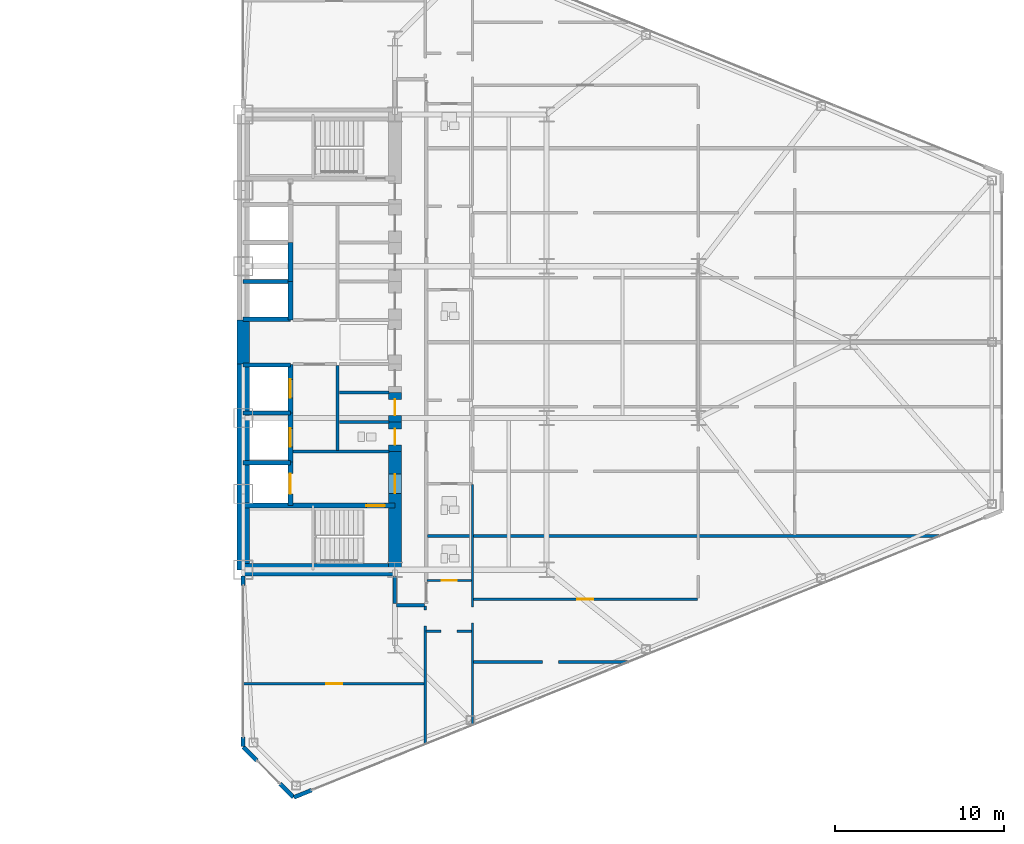
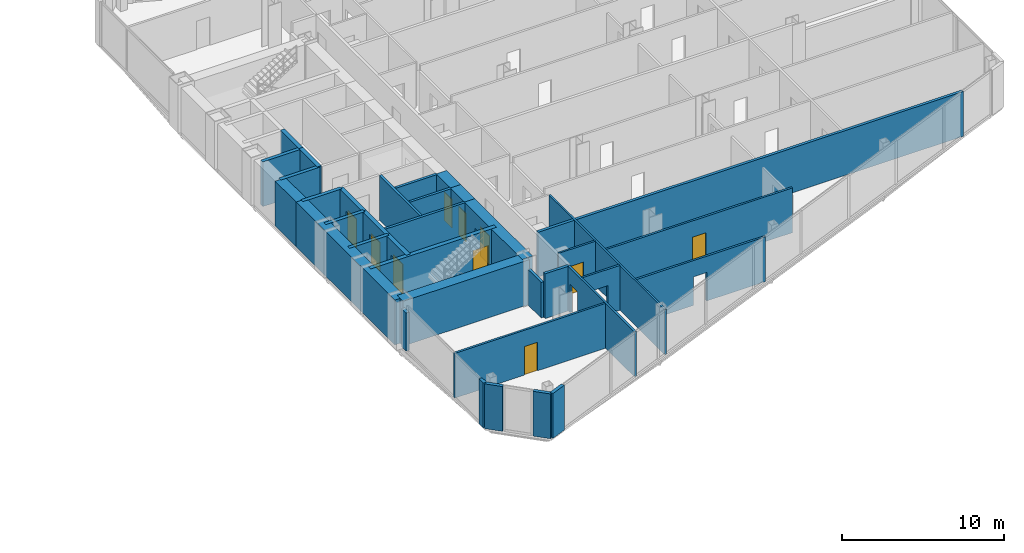
# One storey, part 20 of 25: 36 walls, 10 doors, 14 openings.
"""IFC4 building model written with IfcOpenShell, lengths in metres."""

from ifc_helpers import new_model, si_unit, direction, frame, frame_2d, origin, place, context, subcontext, project, spatial, rectangle, extrude, source, transform, mapped, material, layer, layer_set, type_object, type_shapes, element, fill, save


model = new_model("IFC4")

# Units and contexts
model_context = context("Model", 3, precision=1e-05, world=origin(), true_north=direction((0.0, 1.0)))
body_context = subcontext(model_context, "Body", "Model", "MODEL_VIEW")
ifc_project = project(units=[si_unit("LENGTHUNIT", "METRE"), si_unit("AREAUNIT", "SQUARE_METRE"), si_unit("VOLUMEUNIT", "CUBIC_METRE"), si_unit("PLANEANGLEUNIT", "RADIAN"), si_unit("MASSUNIT", "GRAM", prefix="KILO")], contexts=[model_context])

# Site, building, storey
site_placement = place(None, origin())
site = spatial("IfcSite", under=ifc_project, at=site_placement, CompositionType="ELEMENT")
building_placement = place(site_placement, origin())
building = spatial("IfcBuilding", under=site, at=building_placement, Name="Seokmaru Belvedere", CompositionType="ELEMENT")
storey_placement = place(building_placement, frame((0.0, 0.0, 36.89990234375)))
storey = spatial("IfcBuildingStorey", under=building, at=storey_placement, Name="L09", CompositionType="ELEMENT", Elevation=36.89990234375)

# Wall, opening, door
ifc_material_1 = material(Name="Fire-Rated Gypsum Shaftwall")
ifc_layer_1 = layer(ifc_material_1, 0.14990234375)
ifc_layer_set_1 = layer_set([ifc_layer_1], Name="Fire-Rated Gypsum Shaftwall")
wall_type_1 = type_object("IfcWallType", Name="Apartment Fire-Acoustic Room Partition 150", PredefinedType="PARTITIONING", material=ifc_layer_set_1)
wall_1_placement = place(storey_placement, frame((27.465087890625, -20.25, 0.0), z_axis=(0.0, 0.0, 1.0), x_axis=(1.0, 0.0, 0.0)))
wall_1 = element("IfcWall", 1, at=wall_1_placement, inside=storey, type_object=wall_type_1, Name="L09 Interior Partition 002", PredefinedType="PARTITIONING", context=body_context, shape_type="SweptSolid", body=[
    extrude(rectangle(XDim=10.784912109375, YDim=0.14990234375, at=frame_2d((5.392578125, 0.0))), origin(), (0.0, 0.0, 1.0), 3.380126953125),
])
opening_1_placement = place(wall_1_placement, frame((4.9599609375, 0.0, 0.0)))
opening_1 = element("IfcOpeningElement", 2, at=opening_1_placement, cuts=wall_1, Name="Opening D05", PredefinedType="OPENING", context=body_context, shape_type="SweptSolid", body=[
    extrude(rectangle(XDim=0.949951171875, YDim=2.14990234375, at=frame_2d((0.47509765625, 1.074951171875))), frame((0.0, 0.0849609375, 0.0), z_axis=(0.0, -1.0, 0.0), x_axis=(1.0, 0.0, 0.0)), (0.0, 0.0, 1.0), 0.169921875),
])
ifc_material_2 = material(Name="Engineered White Oak Timber", Category="wood")
door_type_1 = type_object("IfcDoorType", Name="Apartment Interior Fire-Rated Oak Door 950x2150", OperationType="NOTDEFINED", PredefinedType="DOOR", material=ifc_material_2)
shared_shape_1 = source(origin(), body_context, "Body", "SweptSolid", [
    extrude(rectangle(XDim=0.949951171875, YDim=2.14990234375, at=frame_2d((0.47509765625, 1.074951171875))), frame((0.0, 0.02490234375, 0.0), z_axis=(0.0, -1.0, 0.0), x_axis=(1.0, 0.0, 0.0)), (0.0, 0.0, 1.0), 0.050048828125),
])
type_shapes(door_type_1, [shared_shape_1])
door_1_placement = place(opening_1_placement, origin())
door_1 = element("IfcDoor", 3, at=door_1_placement, inside=storey, type_object=door_type_1, Name="L09 Interior Door 047", OperationType="SINGLE_SWING_LEFT", OverallHeight=2.14990234375, OverallWidth=0.949951171875, PredefinedType="DOOR", context=body_context, shape_type="MappedRepresentation", body=[
    mapped(shared_shape_1, transform((0.0, 0.0, 0.0), scale=1.0)),
])
fill(opening_1, door_1)

# Wall, opening
wall_2_placement = place(storey_placement, frame((41.14990234375, -18.969970703125, 0.0), z_axis=(0.0, 0.0, 1.0), x_axis=(1.0, 0.0, 0.0)))
wall_2 = element("IfcWall", 4, at=wall_2_placement, inside=storey, type_object=wall_type_1, Name="L09 Interior Partition 003", PredefinedType="PARTITIONING", context=body_context, shape_type="SweptSolid", body=[
    extrude(rectangle(XDim=9.216064453125, YDim=0.14990234375, at=frame_2d((4.60791015625, 0.0))), origin(), (0.0, 0.0, 1.0), 3.380126953125),
])
opening_2_placement = place(wall_2_placement, frame((4.0908203125, 0.0, 0.0)))
element("IfcOpeningElement", 5, at=opening_2_placement, cuts=wall_2, Name="L09 Cased Opening 045", PredefinedType="OPENING", context=body_context, shape_type="SweptSolid", body=[
    extrude(rectangle(XDim=0.949951171875, YDim=2.14990234375, at=frame_2d((0.47509765625, 1.074951171875))), frame((0.0, 0.0849609375, 0.0), z_axis=(0.0, -1.0, 0.0), x_axis=(1.0, 0.0, 0.0)), (0.0, 0.0, 1.0), 0.169921875),
])

wall_3_placement = place(storey_placement, frame((38.35009765625, -17.139892578125, 0.0), z_axis=(0.0, 0.0, 1.0), x_axis=(1.0, 0.0, 0.0)))
wall_3 = element("IfcWall", 6, at=wall_3_placement, inside=storey, type_object=wall_type_1, Name="L09 Interior Partition 005", PredefinedType="PARTITIONING", context=body_context, shape_type="SweptSolid", body=[
    extrude(rectangle(XDim=2.699951171875, YDim=0.14990234375, at=frame_2d((1.35009765625, 0.0))), origin(), (0.0, 0.0, 1.0), 3.380126953125),
])
opening_3_placement = place(wall_3_placement, frame((0.875, 0.0, 0.0)))
element("IfcOpeningElement", 7, at=opening_3_placement, cuts=wall_3, Name="L09 Cased Opening 042", PredefinedType="OPENING", context=body_context, shape_type="SweptSolid", body=[
    extrude(rectangle(XDim=0.949951171875, YDim=2.14990234375, at=frame_2d((0.47509765625, 1.074951171875))), frame((0.0, 0.0849609375, 0.0), z_axis=(0.0, -1.0, 0.0), x_axis=(1.0, 0.0, 0.0)), (0.0, 0.0, 1.0), 0.169921875),
])

# Wall, opening, door
wall_4_placement = place(storey_placement, frame((41.14990234375, -15.239990234375, 0.0), z_axis=(0.0, 0.0, 1.0), x_axis=(1.0, 0.0, 0.0)))
wall_4 = element("IfcWall", 8, at=wall_4_placement, inside=storey, type_object=wall_type_1, Name="L09 Interior Partition 009", PredefinedType="PARTITIONING", context=body_context, shape_type="SweptSolid", body=[
    extrude(rectangle(XDim=13.300048828125, YDim=0.14990234375, at=frame_2d((6.64990234375, 0.0))), origin(), (0.0, 0.0, 1.0), 3.380126953125),
])
opening_4_placement = place(wall_4_placement, frame((6.175048828125, 0.0, 0.0)))
opening_4 = element("IfcOpeningElement", 9, at=opening_4_placement, cuts=wall_4, Name="Opening D05", PredefinedType="OPENING", context=body_context, shape_type="SweptSolid", body=[
    extrude(rectangle(XDim=0.949951171875, YDim=2.14990234375, at=frame_2d((0.47509765625, 1.074951171875))), frame((0.0, 0.0849609375, 0.0), z_axis=(0.0, -1.0, 0.0), x_axis=(1.0, 0.0, 0.0)), (0.0, 0.0, 1.0), 0.169921875),
])
door_2_placement = place(opening_4_placement, origin())
door_2 = element("IfcDoor", 10, at=door_2_placement, inside=storey, type_object=door_type_1, Name="L09 Interior Door 046", OperationType="SINGLE_SWING_LEFT", OverallHeight=2.14990234375, OverallWidth=0.949951171875, PredefinedType="DOOR", context=body_context, shape_type="MappedRepresentation", body=[
    mapped(shared_shape_1, transform((0.0, 0.0, 0.0), scale=1.0)),
])
fill(opening_4, door_2)

# Wall, opening
wall_5_placement = place(storey_placement, frame((38.300048828125, -23.8779296875, 0.0), z_axis=(0.0, 0.0, 1.0), x_axis=(0.0, 1.0, 0.0)))
wall_5 = element("IfcWall", 11, at=wall_5_placement, inside=storey, type_object=wall_type_1, Name="L09 Interior Partition 059", PredefinedType="PARTITIONING", context=body_context, shape_type="SweptSolid", body=[
    extrude(rectangle(XDim=8.22802734375, YDim=0.14990234375, at=frame_2d((4.114013671875, 0.0))), origin(), (0.0, 0.0, 1.0), 3.380126953125),
])
opening_5_placement = place(wall_5_placement, frame((7.030517578125, 0.0, 0.0)))
element("IfcOpeningElement", 12, at=opening_5_placement, cuts=wall_5, Name="L09 Cased Opening 044", PredefinedType="OPENING", context=body_context, shape_type="SweptSolid", body=[
    extrude(rectangle(XDim=0.949951171875, YDim=2.14990234375, at=frame_2d((0.47509765625, 1.074951171875))), frame((0.0, 0.0849609375, 0.0), z_axis=(0.0, -1.0, 0.0), x_axis=(1.0, 0.0, 0.0)), (0.0, 0.0, 1.0), 0.169921875),
])

# Walls
ifc_layer_2 = layer(ifc_material_1, 0.179931640625)
ifc_layer_set_2 = layer_set([ifc_layer_2], Name="Fire-Rated Gypsum Shaftwall")
wall_type_2 = type_object("IfcWallType", Name="Core Service Fire Partition 180", PredefinedType="PARTITIONING", material=ifc_layer_set_2)
wall_6_placement = place(storey_placement, frame((30.449951171875, -6.5, 0.0), z_axis=(0.0, 0.0, 1.0), x_axis=(1.0, 0.0, 0.0)))
element("IfcWall", 13, at=wall_6_placement, inside=storey, type_object=wall_type_2, Name="L09 East Firefighting Lobby Partition", PredefinedType="PARTITIONING", context=body_context, shape_type="SweptSolid", body=[
    extrude(rectangle(XDim=5.699951171875, YDim=0.179931640625, at=frame_2d((2.85009765625, 0.0))), origin(), (0.0, 0.0, 1.0), 3.380126953125),
])
wall_7_placement = place(storey_placement, frame((33.10009765625, -6.419921875, 0.0), z_axis=(0.0, 0.0, 1.0), x_axis=(0.0, 1.0, 0.0)))
element("IfcWall", 14, at=wall_7_placement, inside=storey, type_object=wall_type_2, Name="L09 East South Core Service Back Wall", PredefinedType="PARTITIONING", context=body_context, shape_type="SweptSolid", body=[
    extrude(rectangle(XDim=5.0400390625, YDim=0.179931640625, at=frame_2d((2.52001953125, 0.0))), origin(), (0.0, 0.0, 1.0), 3.380126953125),
])
for number, where, z_axis, x_axis, name in (
    (15, (33.199951171875, -4.75, 0.0), (0.0, 0.0, 1.0), (1.0, 0.0, 0.0), "L09 East Core Service Partition 1"),
    (16, (33.199951171875, -3.0, 0.0), (0.0, 0.0, 1.0), (1.0, 0.0, 0.0), "L09 East Core Service Partition 2"),
):
    element("IfcWall", number, at=place(storey_placement, frame(where, z_axis=z_axis, x_axis=x_axis)), inside=storey, type_object=wall_type_2, Name=name, PredefinedType="PARTITIONING", context=body_context, shape_type="SweptSolid", body=[
        extrude(rectangle(XDim=2.949951171875, YDim=0.179931640625, at=frame_2d((1.47509765625, 0.0))), origin(), (0.0, 0.0, 1.0), 3.380126953125),
    ])
ifc_material_3 = material(Name="Concrete C50 (50 MPa)", Category="concrete")
ifc_layer_3 = layer(ifc_material_3, 0.25)
ifc_layer_set_3 = layer_set([ifc_layer_3], Name="Concrete C50 (50 MPa)")
wall_type_3 = type_object("IfcWallType", Name="Hoistway Transverse Concrete Divider Wall 250", PredefinedType="SHEAR", material=ifc_layer_set_3)
for number, where, z_axis, x_axis, name in (
    (17, (27.5, -7.14990234375, 0.0), (0.0, 0.0, 1.0), (1.0, 0.0, 0.0), "L09 East Hoistway Divider Core Wall 1"),
    (18, (27.5, -4.199951171875, 0.0), (0.0, 0.0, 1.0), (1.0, 0.0, 0.0), "L09 East Hoistway Divider Core Wall 2"),
    (19, (27.5, -1.35009765625, 0.0), (0.0, 0.0, 1.0), (1.0, 0.0, 0.0), "L09 East Hoistway Divider Core Wall 3"),
    (20, (27.5, 1.35009765625, 0.0), (0.0, 0.0, 1.0), (1.0, 0.0, 0.0), "L09 East Hoistway Divider Core Wall 4"),
    (21, (27.5, 3.60009765625, 0.0), (0.0, 0.0, 1.0), (1.0, 0.0, 0.0), "L09 East Hoistway Divider Core Wall 5"),
):
    element("IfcWall", number, at=place(storey_placement, frame(where, z_axis=z_axis, x_axis=x_axis)), inside=storey, type_object=wall_type_3, Name=name, PredefinedType="SHEAR", context=body_context, shape_type="SweptSolid", body=[
        extrude(rectangle(XDim=2.800048828125, YDim=0.25, at=frame_2d((1.39990234375, 0.0))), origin(), (0.0, 0.0, 1.0), 3.380126953125),
    ])
ifc_layer_4 = layer(ifc_material_1, 0.199951171875)
ifc_layer_set_4 = layer_set([ifc_layer_4], Name="Fire-Rated Gypsum Shaftwall")
wall_type_4 = type_object("IfcWallType", Name="Inter-Tenancy Fire Compartment Partition 200", PredefinedType="PARTITIONING", material=ifc_layer_set_4)
wall_8_placement = place(storey_placement, frame((36.5849609375, -15.60009765625, 0.0), z_axis=(0.0, 0.0, 1.0), x_axis=(1.0, 0.0, 0.0)))
element("IfcWall", 22, at=wall_8_placement, inside=storey, type_object=wall_type_4, Name="L09 Interior Partition 008", PredefinedType="PARTITIONING", context=body_context, shape_type="SweptSolid", body=[
    extrude(rectangle(XDim=1.679931640625, YDim=0.199951171875, at=frame_2d((0.83984375, 0.0))), origin(), (0.0, 0.0, 1.0), 3.380126953125),
])
wall_9_placement = place(storey_placement, frame((38.429931640625, -11.5, 0.0), z_axis=(0.0, 0.0, 1.0), x_axis=(1.0, 0.0, 0.0)))
element("IfcWall", 23, at=wall_9_placement, inside=storey, type_object=wall_type_4, Name="L09 Interior Partition 013", PredefinedType="PARTITIONING", context=body_context, shape_type="SweptSolid", body=[
    extrude(rectangle(XDim=30.376953125, YDim=0.199951171875, at=frame_2d((15.1884765625, 0.0))), origin(), (0.0, 0.0, 1.0), 3.380126953125),
])
wall_10_placement = place(storey_placement, frame((36.5, -15.514892578125, 0.0), z_axis=(0.0, 0.0, 1.0), x_axis=(0.0, 1.0, 0.0)))
element("IfcWall", 24, at=wall_10_placement, inside=storey, type_object=wall_type_4, Name="L09 Interior Partition 057", PredefinedType="PARTITIONING", context=body_context, shape_type="SweptSolid", body=[
    extrude(rectangle(XDim=1.635009765625, YDim=0.199951171875, at=frame_2d((0.8173828125, 0.0))), origin(), (0.0, 0.0, 1.0), 2.68017578125),
])

# Wall, opening, door
ifc_layer_5 = layer(ifc_material_3, 0.300048828125)
ifc_layer_set_5 = layer_set([ifc_layer_5], Name="Concrete C50 (50 MPa)")
wall_type_5 = type_object("IfcWallType", Name="Internal Core Stair and Hoistway Wall 300", PredefinedType="SHEAR", material=ifc_layer_set_5)
wall_11_placement = place(storey_placement, frame((27.5, -9.699951171875, 0.0), z_axis=(0.0, 0.0, 1.0), x_axis=(1.0, 0.0, 0.0)))
wall_11 = element("IfcWall", 25, at=wall_11_placement, inside=storey, type_object=wall_type_5, Name="L09 East Stair ST-1 Enclosure Wall", PredefinedType="SHEAR", context=body_context, shape_type="SweptSolid", body=[
    extrude(rectangle(XDim=9.0, YDim=0.300048828125, at=frame_2d((4.5, 0.0))), origin(), (0.0, 0.0, 1.0), 3.380126953125),
])
opening_6_placement = place(wall_11_placement, frame((7.300048828125, 0.0, 0.0)))
opening_6 = element("IfcOpeningElement", 26, at=opening_6_placement, cuts=wall_11, Name="Opening D01", PredefinedType="OPENING", context=body_context, shape_type="SweptSolid", body=[
    extrude(rectangle(XDim=1.10009765625, YDim=2.199951171875, at=frame_2d((0.550048828125, 1.10009765625))), frame((0.0, 0.16015625, 0.0), z_axis=(0.0, -1.0, 0.0), x_axis=(1.0, 0.0, 0.0)), (0.0, 0.0, 1.0), 0.320068359375),
])
ifc_material_4 = material(Name="Fire-Rated Steel Leaf", Category="steel")
door_type_2 = type_object("IfcDoorType", Name="Special Escape Stair Smokeproof Fire Door 1100x2200", OperationType="NOTDEFINED", PredefinedType="DOOR", material=ifc_material_4)
shared_shape_2 = source(origin(), body_context, "Body", "SweptSolid", [
    extrude(rectangle(XDim=1.10009765625, YDim=2.199951171875, at=frame_2d((0.550048828125, 1.10009765625))), frame((0.0, 0.02490234375, 0.0), z_axis=(0.0, -1.0, 0.0), x_axis=(1.0, 0.0, 0.0)), (0.0, 0.0, 1.0), 0.050048828125),
])
type_shapes(door_type_2, [shared_shape_2])
door_3_placement = place(opening_6_placement, frame((1.10009765625, 0.0, 0.0), z_axis=(0.0, 0.0, 1.0), x_axis=(-1.0, 0.0, 0.0)))
door_3 = element("IfcDoor", 27, at=door_3_placement, inside=storey, type_object=door_type_2, Name="L09 East Special Escape Stair ST-1 Door", OperationType="SINGLE_SWING_RIGHT", OverallHeight=2.199951171875, OverallWidth=1.10009765625, PredefinedType="DOOR", context=body_context, shape_type="MappedRepresentation", body=[
    mapped(shared_shape_2, transform((0.0, 0.0, 0.0), scale=1.0)),
])
fill(opening_6, door_3)

wall_12_placement = place(storey_placement, frame((30.300048828125, -9.679931640625, 0.0), z_axis=(0.0, 0.0, 1.0), x_axis=(0.0, 1.0, 0.0)))
wall_12 = element("IfcWall", 28, at=wall_12_placement, inside=storey, type_object=wall_type_5, Name="L09 East Firefighting Lift Shaft Front Wall", PredefinedType="SHEAR", context=body_context, shape_type="SweptSolid", body=[
    extrude(rectangle(XDim=2.559814453125, YDim=0.300048828125, at=frame_2d((1.27978515625, 0.0))), origin(), (0.0, 0.0, 1.0), 3.380126953125),
])
opening_7_placement = place(wall_12_placement, frame((0.679931640625, 0.0, 0.0)))
opening_7 = element("IfcOpeningElement", 29, at=opening_7_placement, cuts=wall_12, Name="Opening LD2", PredefinedType="OPENING", context=body_context, shape_type="SweptSolid", body=[
    extrude(rectangle(XDim=1.199951171875, YDim=2.25, at=frame_2d((0.60009765625, 1.125))), frame((0.0, 0.16015625, 0.0), z_axis=(0.0, -1.0, 0.0), x_axis=(1.0, 0.0, 0.0)), (0.0, 0.0, 1.0), 0.320068359375),
])
ifc_material_5 = material(Name="Stainless Steel 316", Category="steel")
door_type_3 = type_object("IfcDoorType", Name="Firefighting Lift Sliding Landing Door 1200x2250", OperationType="DOUBLE_DOOR_SLIDING", PredefinedType="DOOR", material=ifc_material_5)
shared_shape_3 = source(origin(), body_context, "Body", "SweptSolid", [
    extrude(rectangle(XDim=1.199951171875, YDim=2.25, at=frame_2d((0.60009765625, 1.125))), frame((0.0, 0.02490234375, 0.0), z_axis=(0.0, -1.0, 0.0), x_axis=(1.0, 0.0, 0.0)), (0.0, 0.0, 1.0), 0.050048828125),
])
type_shapes(door_type_3, [shared_shape_3])
door_4_placement = place(opening_7_placement, origin())
door_4 = element("IfcDoor", 30, at=door_4_placement, inside=storey, type_object=door_type_3, Name="L09 East Firefighting Lift Landing Door", OperationType="DOUBLE_DOOR_SLIDING", OverallHeight=2.25, OverallWidth=1.199951171875, PredefinedType="DOOR", context=body_context, shape_type="MappedRepresentation", body=[
    mapped(shared_shape_3, transform((0.0, 0.0, 0.0), scale=1.0)),
])
fill(opening_7, door_4)

wall_13_placement = place(storey_placement, frame((30.300048828125, -7.1201171875, 0.0), z_axis=(0.0, 0.0, 1.0), x_axis=(0.0, 1.0, 0.0)))
wall_13 = element("IfcWall", 31, at=wall_13_placement, inside=storey, type_object=wall_type_5, Name="L09 East Low-Rise Lift PL-1 Front Wall", PredefinedType="SHEAR", context=body_context, shape_type="SweptSolid", body=[
    extrude(rectangle(XDim=2.920166015625, YDim=0.300048828125, at=frame_2d((1.4599609375, 0.0))), origin(), (0.0, 0.0, 1.0), 3.380126953125),
])
opening_8_placement = place(wall_13_placement, frame((0.909912109375, 0.0, 0.0)))
opening_8 = element("IfcOpeningElement", 32, at=opening_8_placement, cuts=wall_13, Name="Opening LD1", PredefinedType="OPENING", context=body_context, shape_type="SweptSolid", body=[
    extrude(rectangle(XDim=1.10009765625, YDim=2.199951171875, at=frame_2d((0.550048828125, 1.10009765625))), frame((0.0, 0.16015625, 0.0), z_axis=(0.0, -1.0, 0.0), x_axis=(1.0, 0.0, 0.0)), (0.0, 0.0, 1.0), 0.320068359375),
])
door_type_4 = type_object("IfcDoorType", Name="Passenger Lift Sliding Landing Door 1100x2200", OperationType="DOUBLE_DOOR_SLIDING", PredefinedType="DOOR", material=ifc_material_5)
shared_shape_4 = source(origin(), body_context, "Body", "SweptSolid", [
    extrude(rectangle(XDim=1.10009765625, YDim=2.199951171875, at=frame_2d((0.550048828125, 1.10009765625))), frame((0.0, 0.02490234375, 0.0), z_axis=(0.0, -1.0, 0.0), x_axis=(1.0, 0.0, 0.0)), (0.0, 0.0, 1.0), 0.050048828125),
])
type_shapes(door_type_4, [shared_shape_4])
door_5_placement = place(opening_8_placement, origin())
door_5 = element("IfcDoor", 33, at=door_5_placement, inside=storey, type_object=door_type_4, Name="L09 East Low-Rise Lift PL-1 Landing Door", OperationType="DOUBLE_DOOR_SLIDING", OverallHeight=2.199951171875, OverallWidth=1.10009765625, PredefinedType="DOOR", context=body_context, shape_type="MappedRepresentation", body=[
    mapped(shared_shape_4, transform((0.0, 0.0, 0.0), scale=1.0)),
])
fill(opening_8, door_5)

wall_14_placement = place(storey_placement, frame((30.300048828125, -4.199951171875, 0.0), z_axis=(0.0, 0.0, 1.0), x_axis=(0.0, 1.0, 0.0)))
wall_14 = element("IfcWall", 34, at=wall_14_placement, inside=storey, type_object=wall_type_5, Name="L09 East Low-Rise Lift PL-2 Front Wall", PredefinedType="SHEAR", context=body_context, shape_type="SweptSolid", body=[
    extrude(rectangle(XDim=2.8798828125, YDim=0.300048828125, at=frame_2d((1.43994140625, 0.0))), origin(), (0.0, 0.0, 1.0), 3.380126953125),
])
opening_9_placement = place(wall_14_placement, frame((0.889892578125, 0.0, 0.0)))
opening_9 = element("IfcOpeningElement", 35, at=opening_9_placement, cuts=wall_14, Name="Opening LD1", PredefinedType="OPENING", context=body_context, shape_type="SweptSolid", body=[
    extrude(rectangle(XDim=1.10009765625, YDim=2.199951171875, at=frame_2d((0.550048828125, 1.10009765625))), frame((0.0, 0.16015625, 0.0), z_axis=(0.0, -1.0, 0.0), x_axis=(1.0, 0.0, 0.0)), (0.0, 0.0, 1.0), 0.320068359375),
])
door_6_placement = place(opening_9_placement, origin())
door_6 = element("IfcDoor", 36, at=door_6_placement, inside=storey, type_object=door_type_4, Name="L09 East Low-Rise Lift PL-2 Landing Door", OperationType="DOUBLE_DOOR_SLIDING", OverallHeight=2.199951171875, OverallWidth=1.10009765625, PredefinedType="DOOR", context=body_context, shape_type="MappedRepresentation", body=[
    mapped(shared_shape_4, transform((0.0, 0.0, 0.0), scale=1.0)),
])
fill(opening_9, door_6)

# Walls
wall_15_placement = place(storey_placement, frame((30.300048828125, 1.320068359375, 0.0), z_axis=(0.0, 0.0, 1.0), x_axis=(0.0, 1.0, 0.0)))
element("IfcWall", 37, at=wall_15_placement, inside=storey, type_object=wall_type_5, Name="L09 East North Hoistway Wall PH1", PredefinedType="SHEAR", context=body_context, shape_type="SweptSolid", body=[
    extrude(rectangle(XDim=2.280029296875, YDim=0.300048828125, at=frame_2d((1.14013671875, 0.0))), origin(), (0.0, 0.0, 1.0), 3.380126953125),
])
wall_16_placement = place(storey_placement, frame((30.300048828125, 3.60009765625, 0.0), z_axis=(0.0, 0.0, 1.0), x_axis=(0.0, 1.0, 0.0)))
element("IfcWall", 38, at=wall_16_placement, inside=storey, type_object=wall_type_5, Name="L09 East North Hoistway Wall PH2", PredefinedType="SHEAR", context=body_context, shape_type="SweptSolid", body=[
    extrude(rectangle(XDim=2.2998046875, YDim=0.300048828125, at=frame_2d((1.14990234375, 0.0))), origin(), (0.0, 0.0, 1.0), 3.380126953125),
])
ifc_material_6 = material(Name="Concrete C60 (60 MPa)", Category="concrete")
ifc_layer_6 = layer(ifc_material_6, 0.75)
ifc_layer_set_6 = layer_set([ifc_layer_6], Name="Concrete C60 (60 MPa)")
wall_type_6 = type_object("IfcWallType", Name="Lower Tower Reinforced Concrete Core Wall 750", PredefinedType="SHEAR", material=ifc_layer_set_6)
wall_17_placement = place(storey_placement, frame((27.5, -13.5, 0.0), z_axis=(0.0, 0.0, 1.0), x_axis=(0.0, 1.0, 0.0)))
element("IfcWall", 39, at=wall_17_placement, inside=storey, type_object=wall_type_6, Name="L09 East Portal Spine Core Wall South", PredefinedType="SHEAR", context=body_context, shape_type="SweptSolid", body=[
    extrude(rectangle(XDim=12.199951171875, YDim=0.75, at=frame_2d((6.10009765625, 0.0))), origin(), (0.0, 0.0, 1.0), 3.380126953125),
])
wall_18_placement = place(storey_placement, frame((27.5, -1.300048828125, 0.0), z_axis=(0.0, 0.0, 1.0), x_axis=(0.0, 1.0, 0.0)))
element("IfcWall", 40, at=wall_18_placement, inside=storey, type_object=wall_type_6, Name="L09 East Portal Spine Core Wall Center", PredefinedType="SHEAR", context=body_context, shape_type="SweptSolid", body=[
    extrude(rectangle(XDim=2.60009765625, YDim=0.75, at=frame_2d((1.300048828125, 0.0))), origin(), (0.0, 0.0, 1.0), 3.380126953125),
])
wall_19_placement = place(storey_placement, frame((27.5, -13.5, 0.0), z_axis=(0.0, 0.0, 1.0), x_axis=(1.0, 0.0, 0.0)))
element("IfcWall", 41, at=wall_19_placement, inside=storey, type_object=wall_type_6, Name="L09 East South Core Wall", PredefinedType="SHEAR", context=body_context, shape_type="SweptSolid", body=[
    extrude(rectangle(XDim=9.0, YDim=0.75, at=frame_2d((4.5, 0.0))), origin(), (0.0, 0.0, 1.0), 3.380126953125),
])

# Wall, opening, door
wall_20_placement = place(storey_placement, frame((36.5, -13.64990234375, 0.0), z_axis=(0.0, 0.0, 1.0), x_axis=(0.0, 1.0, 0.0)))
wall_20 = element("IfcWall", 42, at=wall_20_placement, inside=storey, type_object=wall_type_6, Name="L09 East West Core Wall FF", PredefinedType="SHEAR", context=body_context, shape_type="SweptSolid", body=[
    extrude(rectangle(XDim=7.14990234375, YDim=0.75, at=frame_2d((3.574951171875, 0.0))), origin(), (0.0, 0.0, 1.0), 3.380126953125),
])
opening_10_placement = place(wall_20_placement, frame((4.675048828125, 0.0, 0.0)))
opening_10 = element("IfcOpeningElement", 43, at=opening_10_placement, cuts=wall_20, Name="Opening D02", PredefinedType="OPENING", context=body_context, shape_type="SweptSolid", body=[
    extrude(rectangle(XDim=1.14990234375, YDim=2.199951171875, at=frame_2d((0.574951171875, 1.10009765625))), frame((0.0, 0.385009765625, 0.0), z_axis=(0.0, -1.0, 0.0), x_axis=(1.0, 0.0, 0.0)), (0.0, 0.0, 1.0), 0.77001953125),
])
door_type_5 = type_object("IfcDoorType", Name="Lobby and Vestibule Fire Door 1150x2200", OperationType="NOTDEFINED", PredefinedType="DOOR", material=ifc_material_4)
shared_shape_5 = source(origin(), body_context, "Body", "SweptSolid", [
    extrude(rectangle(XDim=1.14990234375, YDim=2.199951171875, at=frame_2d((0.574951171875, 1.10009765625))), frame((0.0, 0.02490234375, 0.0), z_axis=(0.0, -1.0, 0.0), x_axis=(1.0, 0.0, 0.0)), (0.0, 0.0, 1.0), 0.050048828125),
])
type_shapes(door_type_5, [shared_shape_5])
door_7_placement = place(opening_10_placement, origin())
door_7 = element("IfcDoor", 44, at=door_7_placement, inside=storey, type_object=door_type_5, Name="L09 East Firefighting Lobby Door", OperationType="SINGLE_SWING_RIGHT", OverallHeight=2.199951171875, OverallWidth=1.14990234375, PredefinedType="DOOR", context=body_context, shape_type="MappedRepresentation", body=[
    mapped(shared_shape_5, transform((0.0, 0.0, 0.0), scale=1.0)),
])
fill(opening_10, door_7)

wall_21_placement = place(storey_placement, frame((36.5, -6.5, 0.0), z_axis=(0.0, 0.0, 1.0), x_axis=(0.0, 1.0, 0.0)))
wall_21 = element("IfcWall", 45, at=wall_21_placement, inside=storey, type_object=wall_type_6, Name="L09 East West Core Wall CS1", PredefinedType="SHEAR", context=body_context, shape_type="SweptSolid", body=[
    extrude(rectangle(XDim=1.75, YDim=0.75, at=frame_2d((0.875, 0.0))), origin(), (0.0, 0.0, 1.0), 3.380126953125),
])
opening_11_placement = place(wall_21_placement, frame((0.39990234375, 0.0, 0.0)))
opening_11 = element("IfcOpeningElement", 46, at=opening_11_placement, cuts=wall_21, Name="Opening D04", PredefinedType="OPENING", context=body_context, shape_type="SweptSolid", body=[
    extrude(rectangle(XDim=0.949951171875, YDim=2.14990234375, at=frame_2d((0.47509765625, 1.074951171875))), frame((0.0, 0.385009765625, 0.0), z_axis=(0.0, -1.0, 0.0), x_axis=(1.0, 0.0, 0.0)), (0.0, 0.0, 1.0), 0.77001953125),
])
door_type_6 = type_object("IfcDoorType", Name="Core Service Room Fire Door 950x2150", OperationType="NOTDEFINED", PredefinedType="DOOR", material=ifc_material_4)
shared_shape_6 = source(origin(), body_context, "Body", "SweptSolid", [
    extrude(rectangle(XDim=0.949951171875, YDim=2.14990234375, at=frame_2d((0.47509765625, 1.074951171875))), frame((0.0, 0.02490234375, 0.0), z_axis=(0.0, -1.0, 0.0), x_axis=(1.0, 0.0, 0.0)), (0.0, 0.0, 1.0), 0.050048828125),
])
type_shapes(door_type_6, [shared_shape_6])
door_8_placement = place(opening_11_placement, origin())
door_8 = element("IfcDoor", 47, at=door_8_placement, inside=storey, type_object=door_type_6, Name="L09 East Core Service Room Door 1", OperationType="SINGLE_SWING_RIGHT", OverallHeight=2.14990234375, OverallWidth=0.949951171875, PredefinedType="DOOR", context=body_context, shape_type="MappedRepresentation", body=[
    mapped(shared_shape_6, transform((0.0, 0.0, 0.0), scale=1.0)),
])
fill(opening_11, door_8)

wall_22_placement = place(storey_placement, frame((36.5, -4.75, 0.0), z_axis=(0.0, 0.0, 1.0), x_axis=(0.0, 1.0, 0.0)))
wall_22 = element("IfcWall", 48, at=wall_22_placement, inside=storey, type_object=wall_type_6, Name="L09 East West Core Wall CS2", PredefinedType="SHEAR", context=body_context, shape_type="SweptSolid", body=[
    extrude(rectangle(XDim=1.75, YDim=0.75, at=frame_2d((0.875, 0.0))), origin(), (0.0, 0.0, 1.0), 3.380126953125),
])
opening_12_placement = place(wall_22_placement, frame((0.39990234375, 0.0, 0.0)))
opening_12 = element("IfcOpeningElement", 49, at=opening_12_placement, cuts=wall_22, Name="Opening D04", PredefinedType="OPENING", context=body_context, shape_type="SweptSolid", body=[
    extrude(rectangle(XDim=0.949951171875, YDim=2.14990234375, at=frame_2d((0.47509765625, 1.074951171875))), frame((0.0, 0.385009765625, 0.0), z_axis=(0.0, -1.0, 0.0), x_axis=(1.0, 0.0, 0.0)), (0.0, 0.0, 1.0), 0.77001953125),
])
door_9_placement = place(opening_12_placement, origin())
door_9 = element("IfcDoor", 50, at=door_9_placement, inside=storey, type_object=door_type_6, Name="L09 East Core Service Room Door 2", OperationType="SINGLE_SWING_LEFT", OverallHeight=2.14990234375, OverallWidth=0.949951171875, PredefinedType="DOOR", context=body_context, shape_type="MappedRepresentation", body=[
    mapped(shared_shape_6, transform((0.0, 0.0, 0.0), scale=1.0)),
])
fill(opening_12, door_9)

ifc_layer_7 = layer(ifc_material_1, 0.1298828125)
ifc_layer_set_7 = layer_set([ifc_layer_7], Name="Fire-Rated Gypsum Shaftwall")
wall_type_7 = type_object("IfcWallType", Name="Moisture-Resistant Fire-Rated Bathroom Partition 130", PredefinedType="PARTITIONING", material=ifc_layer_set_7)
wall_23_placement = place(storey_placement, frame((38.39990234375, -14.139892578125, 0.0), z_axis=(0.0, 0.0, 1.0), x_axis=(1.0, 0.0, 0.0)))
wall_23 = element("IfcWall", 51, at=wall_23_placement, inside=storey, type_object=wall_type_7, Name="L09 Interior Partition 011", PredefinedType="PARTITIONING", context=body_context, shape_type="SweptSolid", body=[
    extrude(rectangle(XDim=2.650146484375, YDim=0.1298828125, at=frame_2d((1.3251953125, 0.0))), origin(), (0.0, 0.0, 1.0), 3.380126953125),
])
opening_13_placement = place(wall_23_placement, frame((0.885009765625, 0.0, 0.0)))
opening_13 = element("IfcOpeningElement", 52, at=opening_13_placement, cuts=wall_23, Name="Opening D06", PredefinedType="OPENING", context=body_context, shape_type="SweptSolid", body=[
    extrude(rectangle(XDim=0.8798828125, YDim=2.10009765625, at=frame_2d((0.43994140625, 1.050048828125))), frame((0.0, 0.074951171875, 0.0), z_axis=(0.0, -1.0, 0.0), x_axis=(1.0, 0.0, 0.0)), (0.0, 0.0, 1.0), 0.14990234375),
])
door_type_7 = type_object("IfcDoorType", Name="Bathroom and Restroom Fire-Rated Door 880x2100", OperationType="NOTDEFINED", PredefinedType="DOOR", material=ifc_material_2)
shared_shape_7 = source(origin(), body_context, "Body", "SweptSolid", [
    extrude(rectangle(XDim=0.8798828125, YDim=2.10009765625, at=frame_2d((0.43994140625, 1.050048828125))), frame((0.0, 0.02490234375, 0.0), z_axis=(0.0, -1.0, 0.0), x_axis=(1.0, 0.0, 0.0)), (0.0, 0.0, 1.0), 0.050048828125),
])
type_shapes(door_type_7, [shared_shape_7])
door_10_placement = place(opening_13_placement, origin())
door_10 = element("IfcDoor", 53, at=door_10_placement, inside=storey, type_object=door_type_7, Name="L09 Interior Door 041", OperationType="SINGLE_SWING_RIGHT", OverallHeight=2.10009765625, OverallWidth=0.8798828125, PredefinedType="DOOR", context=body_context, shape_type="MappedRepresentation", body=[
    mapped(shared_shape_7, transform((0.0, 0.0, 0.0), scale=1.0)),
])
fill(opening_13, door_10)

# Wall, opening
wall_24_placement = place(storey_placement, frame((41.10009765625, -22.743896484375, 0.0), z_axis=(0.0, 0.0, 1.0), x_axis=(0.0, 1.0, 0.0)))
wall_24 = element("IfcWall", 54, at=wall_24_placement, inside=storey, type_object=wall_type_7, Name="L09 Interior Partition 062", PredefinedType="PARTITIONING", context=body_context, shape_type="SweptSolid", body=[
    extrude(rectangle(XDim=14.296875, YDim=0.1298828125, at=frame_2d((7.1484375, 0.0))), origin(), (0.0, 0.0, 1.0), 3.380126953125),
])
opening_14_placement = place(wall_24_placement, frame((6.078125, 0.0, 0.0)))
element("IfcOpeningElement", 55, at=opening_14_placement, cuts=wall_24, Name="L09 Cased Opening 043", PredefinedType="OPENING", context=body_context, shape_type="SweptSolid", body=[
    extrude(rectangle(XDim=0.949951171875, YDim=2.14990234375, at=frame_2d((0.47509765625, 1.074951171875))), frame((0.0, 0.074951171875, 0.0), z_axis=(0.0, -1.0, 0.0), x_axis=(1.0, 0.0, 0.0)), (0.0, 0.0, 1.0), 0.14990234375),
])

# Walls
ifc_material_7 = material(Name="Anodised Bronze Aluminium", Category="aluminium")
ifc_layer_8 = layer(ifc_material_7, 0.239990234375)
ifc_layer_set_8 = layer_set([ifc_layer_8], Name="Anodised Bronze Aluminium")
wall_type_8 = type_object("IfcWallType", Name="Tower Corner Spandrel Closure Wall 240", PredefinedType="SOLIDWALL", material=ifc_layer_set_8)
wall_25_placement = place(storey_placement, frame((30.50927734375, -26.99609375, 0.0), z_axis=(0.0, 0.0, 1.0), x_axis=(0.927007103665, 0.375043770452, 0.0)))
element("IfcWall", 56, at=wall_25_placement, inside=storey, type_object=wall_type_8, Name="L09 E Corner Closure Pier 1A", PredefinedType="SOLIDWALL", context=body_context, shape_type="SweptSolid", body=[
    extrude(rectangle(XDim=1.139892578125, YDim=0.239990234375, at=frame_2d((0.56982421875, 0.0))), origin(), (0.0, 0.0, 1.0), 3.380126953125),
])
wall_26_placement = place(storey_placement, frame((27.5, -23.97998046875, 0.0), z_axis=(0.0, 0.0, 1.0), x_axis=(0.0, 1.0, 0.0)))
element("IfcWall", 57, at=wall_26_placement, inside=storey, type_object=wall_type_8, Name="L09 E Spine Closure Pier 1A", PredefinedType="SOLIDWALL", context=body_context, shape_type="SweptSolid", body=[
    extrude(rectangle(XDim=0.550048828125, YDim=0.239990234375, at=frame_2d((0.27490234375, 0.0))), origin(), (0.0, 0.0, 1.0), 3.380126953125),
])
wall_27_placement = place(storey_placement, frame((27.5, -14.429931640625, 0.0), z_axis=(0.0, 0.0, 1.0), x_axis=(0.0, 1.0, 0.0)))
element("IfcWall", 58, at=wall_27_placement, inside=storey, type_object=wall_type_8, Name="L09 E Spine Closure Pier 1B", PredefinedType="SOLIDWALL", context=body_context, shape_type="SweptSolid", body=[
    extrude(rectangle(XDim=0.550048828125, YDim=0.239990234375, at=frame_2d((0.27490234375, 0.0))), origin(), (0.0, 0.0, 1.0), 2.880126953125),
])
for number, where, z_axis, x_axis, name in (
    (59, (27.507080078125, -24.007080078125, 0.0), (0.0, 0.0, 1.0), (0.707106781187, -0.707106781187, 0.0), "L09 E Corner Closure Pier 6A"),
    (60, (29.686767578125, -26.186767578125, 0.0), (0.0, 0.0, 1.0), (0.707106781187, -0.707106781187, 0.0), "L09 E Corner Closure Pier 6B"),
):
    element("IfcWall", number, at=place(storey_placement, frame(where, z_axis=z_axis, x_axis=x_axis)), inside=storey, type_object=wall_type_8, Name=name, PredefinedType="SOLIDWALL", context=body_context, shape_type="SweptSolid", body=[
        extrude(rectangle(XDim=1.14013671875, YDim=0.239990234375, at=frame_2d((0.570068359375, 0.0))), origin(), (0.0, 0.0, 1.0), 3.380126953125),
    ])

save(model, "model.ifc")
